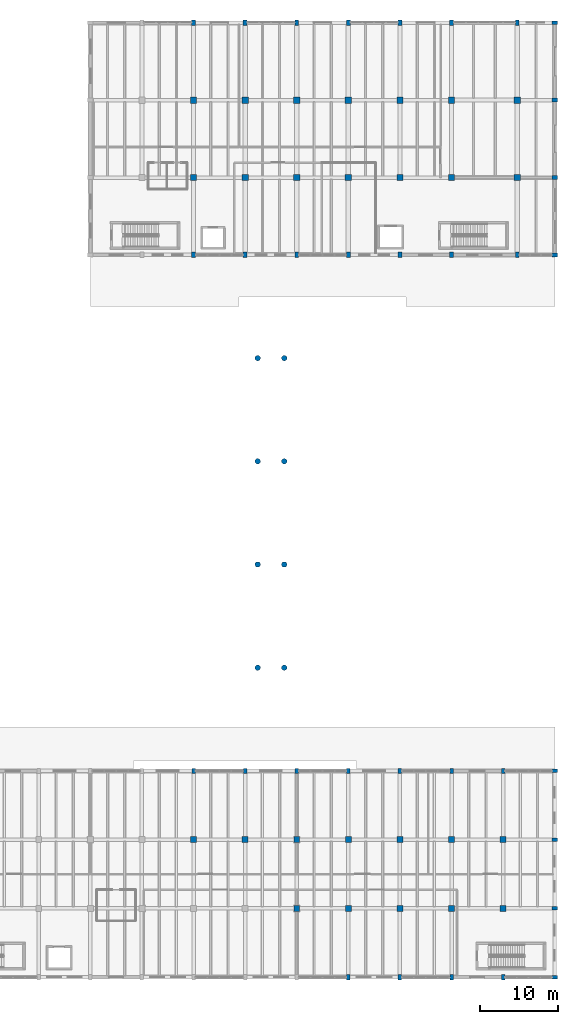
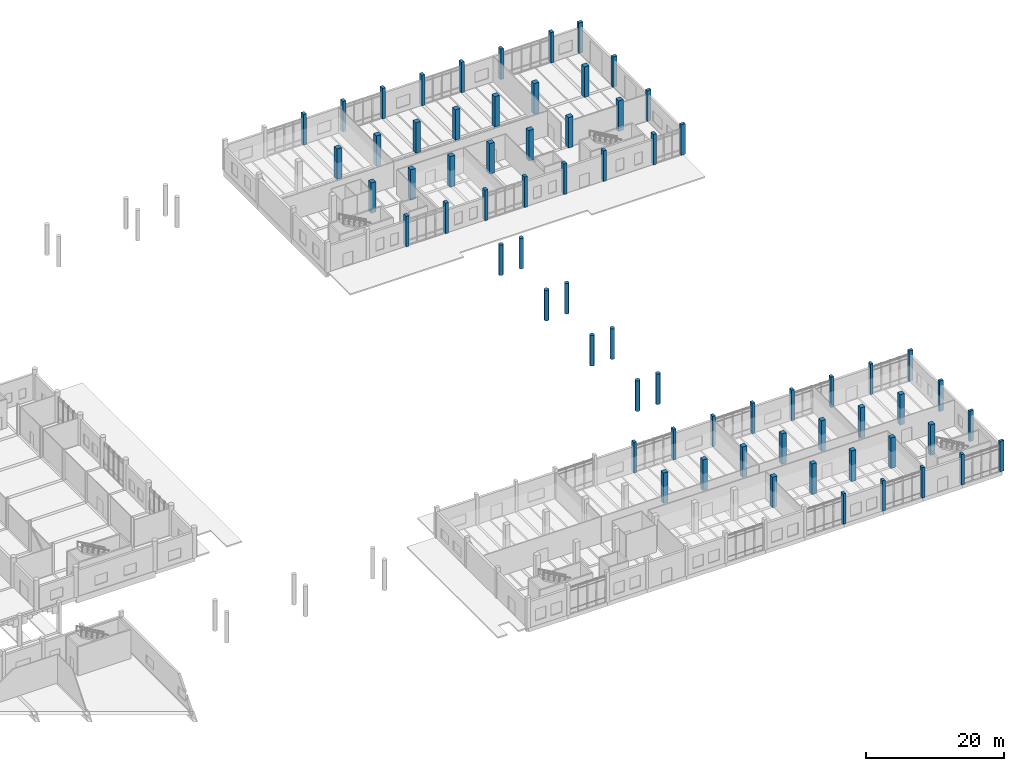
# One storey, part 6 of 72: 67 columns.
"""IFC4 building model written with IfcOpenShell, lengths in metres."""

from ifc_helpers import new_model, si_unit, direction, frame, origin, origin_2d, place, context, subcontext, project, spatial, rectangle, circle, extrude, material, material_profile, profile_set, type_object, element, save


model = new_model("IFC4")

# Units and contexts
model_context = context("Model", 3, precision=1e-05, world=origin(), true_north=direction((0.0, 1.0)))
body_context = subcontext(model_context, "Body", "Model", "MODEL_VIEW")
ifc_project = project(units=[si_unit("LENGTHUNIT", "METRE"), si_unit("AREAUNIT", "SQUARE_METRE"), si_unit("VOLUMEUNIT", "CUBIC_METRE"), si_unit("PLANEANGLEUNIT", "RADIAN"), si_unit("MASSUNIT", "GRAM", prefix="KILO")], contexts=[model_context])

# Site, building, storey
site_placement = place(None, origin())
site = spatial("IfcSite", under=ifc_project, at=site_placement, CompositionType="ELEMENT")
building_placement = place(site_placement, origin())
building = spatial("IfcBuilding", under=site, at=building_placement, Name="Dornvale Research Institute", CompositionType="ELEMENT")
storey_placement = place(building_placement, origin())
storey = spatial("IfcBuildingStorey", under=building, at=storey_placement, Name="L00", CompositionType="ELEMENT", Elevation=0.0)

# Columns
ifc_material_1 = material(Name="Concrete f'c 50 MPa (C40/50)", Category="concrete")
ifc_material_profile_1 = material_profile(ifc_material_1, rectangle(XDim=0.75, YDim=0.75, at=origin_2d()), Name="RC 750x750")
ifc_profile_set_1 = profile_set([ifc_material_profile_1], Name="Concrete f'c 50 MPa (C40/50)")
column_type_1 = type_object("IfcColumnType", Name="Column_RC750", PredefinedType="COLUMN", material=ifc_profile_set_1)
for number, where, z_axis, x_axis, name in (
    (1, (132.0, 17.60009765625, 0.0), (0.0, 0.0, 1.0), (1.0, 0.0, 0.0), "L00 column #800"),
    (2, (138.60009765625, 17.60009765625, 0.0), (0.0, 0.0, 1.0), (1.0, 0.0, 0.0), "L00 column #804"),
    (3, (145.199951171875, 8.800048828125, 0.0), (0.0, 0.0, 1.0), (1.0, 0.0, 0.0), "L00 column #807"),
    (4, (145.199951171875, 17.60009765625, 0.0), (0.0, 0.0, 1.0), (1.0, 0.0, 0.0), "L00 column #808"),
    (5, (151.800048828125, 8.800048828125, 0.0), (0.0, 0.0, 1.0), (1.0, 0.0, 0.0), "L00 column #811"),
    (6, (151.800048828125, 17.60009765625, 0.0), (0.0, 0.0, 1.0), (1.0, 0.0, 0.0), "L00 column #812"),
    (7, (158.39990234375, 8.800048828125, 0.0), (0.0, 0.0, 1.0), (1.0, 0.0, 0.0), "L00 column #815"),
    (8, (158.39990234375, 17.60009765625, 0.0), (0.0, 0.0, 1.0), (1.0, 0.0, 0.0), "L00 column #816"),
    (9, (165.0, 8.800048828125, 0.0), (0.0, 0.0, 1.0), (1.0, 0.0, 0.0), "L00 column #819"),
    (10, (165.0, 17.60009765625, 0.0), (0.0, 0.0, 1.0), (1.0, 0.0, 0.0), "L00 column #820"),
    (11, (171.60009765625, 8.800048828125, 0.0), (0.0, 0.0, 1.0), (1.0, 0.0, 0.0), "L00 column #823"),
    (12, (171.60009765625, 17.60009765625, 0.0), (0.0, 0.0, 1.0), (1.0, 0.0, 0.0), "L00 column #824"),
):
    element("IfcColumn", number, at=place(storey_placement, frame(where, z_axis=z_axis, x_axis=x_axis)), inside=storey, type_object=column_type_1, Name=name, PredefinedType="COLUMN", context=body_context, shape_type="SweptSolid", body=[
        extrude(rectangle(XDim=0.75, YDim=0.75, at=origin_2d()), origin(), (0.0, 0.0, 1.0), 5.39990234375),
    ])
ifc_material_2 = material(Name="Concrete f'c 50 MPa (C40/50)", Category="concrete")
ifc_material_profile_2 = material_profile(ifc_material_2, rectangle(XDim=0.800048828125, YDim=0.800048828125, at=origin_2d()), Name="RC 800x800")
ifc_profile_set_2 = profile_set([ifc_material_profile_2], Name="Concrete f'c 50 MPa (C40/50)")
column_type_2 = type_object("IfcColumnType", Name="Column_RC800", PredefinedType="COLUMN", material=ifc_profile_set_2)
for number, where, z_axis, x_axis, name in (
    (13, (132.0, 102.300048828125, 0.0), (0.0, 0.0, 1.0), (1.0, 0.0, 0.0), "L00 column #463"),
    (14, (132.0, 112.199951171875, 0.0), (0.0, 0.0, 1.0), (1.0, 0.0, 0.0), "L00 column #464"),
    (15, (138.60009765625, 102.300048828125, 0.0), (0.0, 0.0, 1.0), (1.0, 0.0, 0.0), "L00 column #467"),
    (16, (138.60009765625, 112.199951171875, 0.0), (0.0, 0.0, 1.0), (1.0, 0.0, 0.0), "L00 column #468"),
    (17, (145.199951171875, 102.300048828125, 0.0), (0.0, 0.0, 1.0), (1.0, 0.0, 0.0), "L00 column #471"),
    (18, (145.199951171875, 112.199951171875, 0.0), (0.0, 0.0, 1.0), (1.0, 0.0, 0.0), "L00 column #472"),
    (19, (151.800048828125, 102.300048828125, 0.0), (0.0, 0.0, 1.0), (1.0, 0.0, 0.0), "L00 column #475"),
    (20, (151.800048828125, 112.199951171875, 0.0), (0.0, 0.0, 1.0), (1.0, 0.0, 0.0), "L00 column #476"),
    (21, (158.39990234375, 102.300048828125, 0.0), (0.0, 0.0, 1.0), (1.0, 0.0, 0.0), "L00 column #479"),
    (22, (158.39990234375, 112.199951171875, 0.0), (0.0, 0.0, 1.0), (1.0, 0.0, 0.0), "L00 column #480"),
    (23, (165.0, 102.300048828125, 0.0), (0.0, 0.0, 1.0), (1.0, 0.0, 0.0), "L00 column #483"),
    (24, (165.0, 112.199951171875, 0.0), (0.0, 0.0, 1.0), (1.0, 0.0, 0.0), "L00 column #484"),
    (25, (173.39990234375, 102.300048828125, 0.0), (0.0, 0.0, 1.0), (1.0, 0.0, 0.0), "L00 column #487"),
    (26, (173.39990234375, 112.199951171875, 0.0), (0.0, 0.0, 1.0), (1.0, 0.0, 0.0), "L00 column #488"),
):
    element("IfcColumn", number, at=place(storey_placement, frame(where, z_axis=z_axis, x_axis=x_axis)), inside=storey, type_object=column_type_2, Name=name, PredefinedType="COLUMN", context=body_context, shape_type="SweptSolid", body=[
        extrude(rectangle(XDim=0.800048828125, YDim=0.800048828125, at=origin_2d()), origin(), (0.0, 0.0, 1.0), 5.39990234375),
    ])
ifc_material_3 = material(Name="Concrete f'c 45 MPa (C35/45)", Category="concrete")
ifc_material_profile_3 = material_profile(ifc_material_3, rectangle(XDim=0.449951171875, YDim=0.64990234375, at=origin_2d()), Name="RC 450x650")
ifc_profile_set_3 = profile_set([ifc_material_profile_3], Name="Concrete f'c 45 MPa (C35/45)")
column_type_3 = type_object("IfcColumnType", Name="Pilaster_RC450x650_Ext", PredefinedType="PILASTER", material=ifc_profile_set_3)
for number, where, z_axis, x_axis, name in (
    (27, (132.0, 26.39990234375, 0.0), (0.0, 0.0, 1.0), (1.0, 0.0, 0.0), "L00 column #801"),
    (28, (138.60009765625, 26.39990234375, 0.0), (0.0, 0.0, 1.0), (1.0, 0.0, 0.0), "L00 column #805"),
    (29, (145.199951171875, 26.39990234375, 0.0), (0.0, 0.0, 1.0), (1.0, 0.0, 0.0), "L00 column #809"),
    (30, (151.800048828125, 0.0, 0.0), (0.0, 0.0, 1.0), (1.0, 0.0, 0.0), "L00 column #810"),
    (31, (151.800048828125, 26.39990234375, 0.0), (0.0, 0.0, 1.0), (1.0, 0.0, 0.0), "L00 column #813"),
    (32, (158.39990234375, 0.0, 0.0), (0.0, 0.0, 1.0), (1.0, 0.0, 0.0), "L00 column #814"),
    (33, (158.39990234375, 26.39990234375, 0.0), (0.0, 0.0, 1.0), (1.0, 0.0, 0.0), "L00 column #817"),
    (34, (165.0, 0.0, 0.0), (0.0, 0.0, 1.0), (1.0, 0.0, 0.0), "L00 column #818"),
    (35, (165.0, 26.39990234375, 0.0), (0.0, 0.0, 1.0), (1.0, 0.0, 0.0), "L00 column #821"),
    (36, (171.60009765625, 0.0, 0.0), (0.0, 0.0, 1.0), (1.0, 0.0, 0.0), "L00 column #822"),
    (37, (171.60009765625, 26.39990234375, 0.0), (0.0, 0.0, 1.0), (1.0, 0.0, 0.0), "L00 column #825"),
    (38, (178.199951171875, 0.0, 0.0), (0.0, 0.0, 1.0), (0.0, 1.0, 0.0), "L00 column #826"),
    (39, (178.199951171875, 8.800048828125, 0.0), (0.0, 0.0, 1.0), (0.0, 1.0, 0.0), "L00 column #827"),
    (40, (178.199951171875, 17.60009765625, 0.0), (0.0, 0.0, 1.0), (0.0, 1.0, 0.0), "L00 column #828"),
    (41, (178.199951171875, 26.39990234375, 0.0), (0.0, 0.0, 1.0), (0.0, 1.0, 0.0), "L00 column #829"),
):
    element("IfcColumn", number, at=place(storey_placement, frame(where, z_axis=z_axis, x_axis=x_axis)), inside=storey, type_object=column_type_3, Name=name, PredefinedType="PILASTER", context=body_context, shape_type="SweptSolid", body=[
        extrude(rectangle(XDim=0.449951171875, YDim=0.64990234375, at=origin_2d()), origin(), (0.0, 0.0, 1.0), 5.39990234375),
    ])
ifc_material_4 = material(Name="Concrete f'c 50 MPa (C40/50)", Category="concrete")
ifc_material_profile_4 = material_profile(ifc_material_4, rectangle(XDim=0.5, YDim=0.699951171875, at=origin_2d()), Name="RC 500x700")
ifc_profile_set_4 = profile_set([ifc_material_profile_4], Name="Concrete f'c 50 MPa (C40/50)")
column_type_4 = type_object("IfcColumnType", Name="Pilaster_RC500x700_Ext", PredefinedType="PILASTER", material=ifc_profile_set_4)
for number, where, z_axis, x_axis, name in (
    (42, (132.0, 92.39990234375, 0.0), (0.0, 0.0, 1.0), (1.0, 0.0, 0.0), "L00 column #462"),
    (43, (132.0, 122.10009765625, 0.0), (0.0, 0.0, 1.0), (1.0, 0.0, 0.0), "L00 column #465"),
    (44, (138.60009765625, 92.39990234375, 0.0), (0.0, 0.0, 1.0), (1.0, 0.0, 0.0), "L00 column #466"),
    (45, (138.60009765625, 122.10009765625, 0.0), (0.0, 0.0, 1.0), (1.0, 0.0, 0.0), "L00 column #469"),
    (46, (145.199951171875, 92.39990234375, 0.0), (0.0, 0.0, 1.0), (1.0, 0.0, 0.0), "L00 column #470"),
    (47, (145.199951171875, 122.10009765625, 0.0), (0.0, 0.0, 1.0), (1.0, 0.0, 0.0), "L00 column #473"),
    (48, (151.800048828125, 92.39990234375, 0.0), (0.0, 0.0, 1.0), (1.0, 0.0, 0.0), "L00 column #474"),
    (49, (151.800048828125, 122.10009765625, 0.0), (0.0, 0.0, 1.0), (1.0, 0.0, 0.0), "L00 column #477"),
    (50, (158.39990234375, 92.39990234375, 0.0), (0.0, 0.0, 1.0), (1.0, 0.0, 0.0), "L00 column #478"),
    (51, (158.39990234375, 122.10009765625, 0.0), (0.0, 0.0, 1.0), (1.0, 0.0, 0.0), "L00 column #481"),
    (52, (165.0, 92.39990234375, 0.0), (0.0, 0.0, 1.0), (1.0, 0.0, 0.0), "L00 column #482"),
    (53, (165.0, 122.10009765625, 0.0), (0.0, 0.0, 1.0), (1.0, 0.0, 0.0), "L00 column #485"),
    (54, (173.39990234375, 92.39990234375, 0.0), (0.0, 0.0, 1.0), (1.0, 0.0, 0.0), "L00 column #486"),
    (55, (173.39990234375, 122.10009765625, 0.0), (0.0, 0.0, 1.0), (1.0, 0.0, 0.0), "L00 column #489"),
    (56, (178.199951171875, 92.39990234375, 0.0), (0.0, 0.0, 1.0), (0.0, 1.0, 0.0), "L00 column #490"),
    (57, (178.199951171875, 102.300048828125, 0.0), (0.0, 0.0, 1.0), (0.0, 1.0, 0.0), "L00 column #491"),
    (58, (178.199951171875, 112.199951171875, 0.0), (0.0, 0.0, 1.0), (0.0, 1.0, 0.0), "L00 column #492"),
    (59, (178.199951171875, 122.10009765625, 0.0), (0.0, 0.0, 1.0), (0.0, 1.0, 0.0), "L00 column #493"),
):
    element("IfcColumn", number, at=place(storey_placement, frame(where, z_axis=z_axis, x_axis=x_axis)), inside=storey, type_object=column_type_4, Name=name, PredefinedType="PILASTER", context=body_context, shape_type="SweptSolid", body=[
        extrude(rectangle(XDim=0.5, YDim=0.699951171875, at=origin_2d()), origin(), (0.0, 0.0, 1.0), 5.39990234375),
    ])
ifc_material_5 = material(Name="Concrete f'c 45 MPa (C35/45)", Category="concrete")
ifc_material_profile_5 = material_profile(ifc_material_5, circle(Radius=0.35009765625, at=origin_2d()), Name="RC DIA 700")
ifc_profile_set_5 = profile_set([ifc_material_profile_5], Name="Concrete f'c 45 MPa (C35/45)")
column_type_5 = type_object("IfcColumnType", Name="Pilaster_RCDia700_Arcade", PredefinedType="PILASTER", material=ifc_profile_set_5)
for number, where, z_axis, x_axis, name in (
    (60, (140.199951171875, 39.60009765625, 0.0), (0.0, 0.0, 1.0), (1.0, 0.0, 0.0), "L00 cloister link bridge pier #56"),
    (61, (140.199951171875, 52.800048828125, 0.0), (0.0, 0.0, 1.0), (1.0, 0.0, 0.0), "L00 cloister link bridge pier #59"),
    (62, (140.199951171875, 66.0, 0.0), (0.0, 0.0, 1.0), (1.0, 0.0, 0.0), "L00 cloister link bridge pier #62"),
    (63, (140.199951171875, 79.199951171875, 0.0), (0.0, 0.0, 1.0), (1.0, 0.0, 0.0), "L00 cloister link bridge pier #65"),
    (64, (143.60009765625, 39.60009765625, 0.0), (0.0, 0.0, 1.0), (1.0, 0.0, 0.0), "L00 cloister link bridge pier #68"),
    (65, (143.60009765625, 52.800048828125, 0.0), (0.0, 0.0, 1.0), (1.0, 0.0, 0.0), "L00 cloister link bridge pier #71"),
    (66, (143.60009765625, 66.0, 0.0), (0.0, 0.0, 1.0), (1.0, 0.0, 0.0), "L00 cloister link bridge pier #74"),
    (67, (143.60009765625, 79.199951171875, 0.0), (0.0, 0.0, 1.0), (1.0, 0.0, 0.0), "L00 cloister link bridge pier #77"),
):
    element("IfcColumn", number, at=place(storey_placement, frame(where, z_axis=z_axis, x_axis=x_axis)), inside=storey, type_object=column_type_5, Name=name, PredefinedType="PILASTER", context=body_context, shape_type="SweptSolid", body=[
        extrude(circle(Radius=0.35009765625, at=origin_2d()), origin(), (0.0, 0.0, 1.0), 5.39990234375),
    ])

save(model, "model.ifc")
